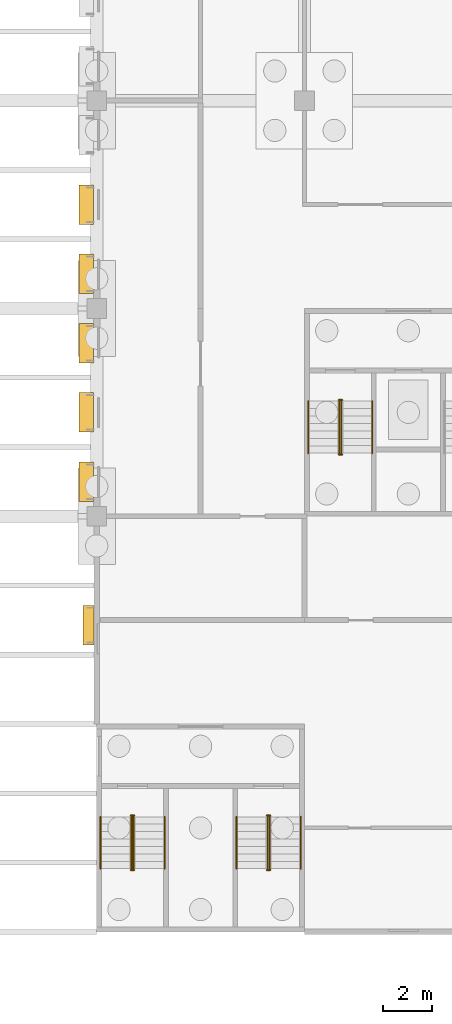
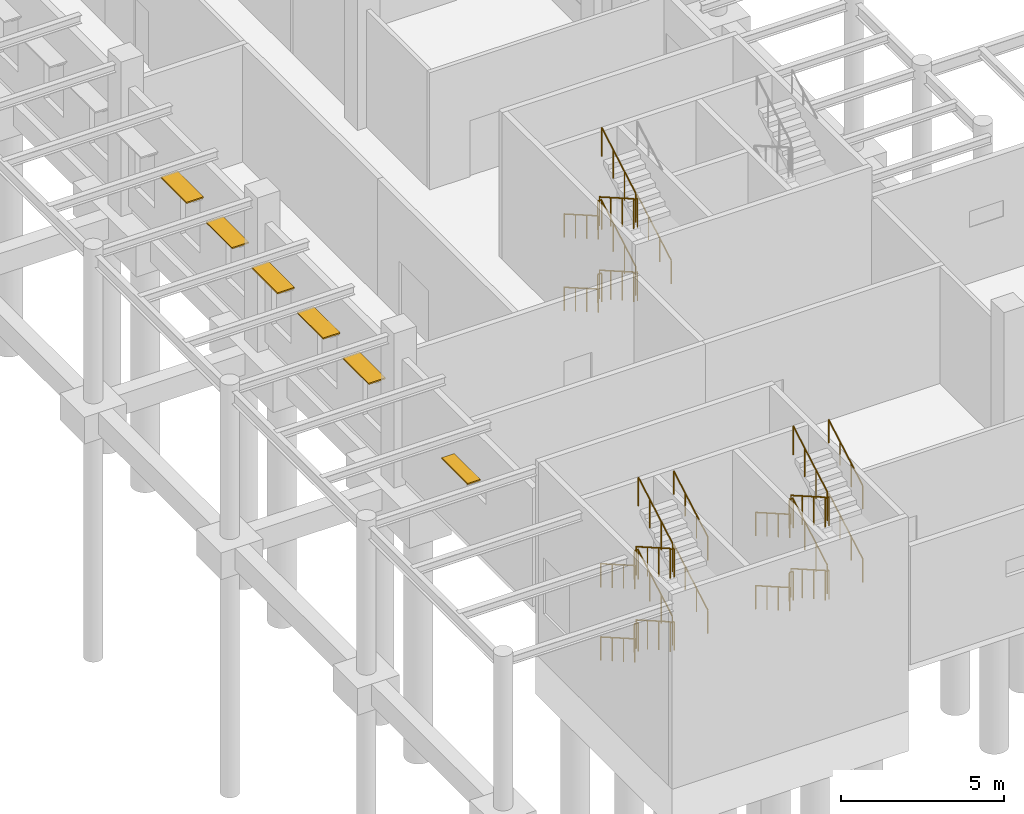
# One storey, part 55 of 82: 35 railings, 6 shading devices.
"""IFC4 building model written with IfcOpenShell, lengths in metres."""

import ifcopenshell
import ifcopenshell.guid

model = None  # the IFC model being written
_history = None  # IfcOwnerHistory: only IFC2X3 demands one
_inside = {}  # id of a spatial element -> (the spatial element, [elements in it])
_under = {}  # id of a project, library or spatial element -> (it, [spatial elements below it])
_declared = {}  # id of a project -> (the project, [libraries it declares])
_typed = {}  # id of a type object -> (the type object, [elements of that type])
_made_of = {}  # id of a material, layer set ... -> (it, [elements and type objects made of it])


def new_model(schema):
    """Start an empty IFC model of exactly this schema.

    Asked for "IFC4X3", IfcOpenShell would pick the latest addendum, in which some entities
    have other attributes; the version numbers below select the first issue.
    IFC2X3 requires an IfcOwnerHistory on every rooted entity: one is made here for all.
    """
    global model, _history
    if schema == "IFC4X3":
        model = ifcopenshell.file(schema_version=(4, 3, 0, 0))
    else:
        model = ifcopenshell.file(schema=schema)
    _inside.clear()
    _under.clear()
    _declared.clear()
    _typed.clear()
    _made_of.clear()
    _history = None
    if model.schema == "IFC2X3":
        org = make("IfcOrganization", Name="unknown")
        user = make(
            "IfcPersonAndOrganization",
            ThePerson=make("IfcPerson", FamilyName="unknown"),
            TheOrganization=org,
        )
        app = make(
            "IfcApplication",
            ApplicationDeveloper=org,
            Version="unknown",
            ApplicationFullName="unknown",
            ApplicationIdentifier="unknown",
        )
        _history = make(
            "IfcOwnerHistory",
            OwningUser=user,
            OwningApplication=app,
            ChangeAction="ADDED",
            CreationDate=0,
        )
    return model


def make(cls, **values):
    """One entity of the class cls with the attributes given. An attribute that is None is left unset."""
    return model.create_entity(
        cls, **{name: value for name, value in values.items() if value is not None}
    )


def rooted(cls, **values):
    """An entity with a GlobalId (a new one), such as an element, a storey or a relation."""
    return make(cls, GlobalId=ifcopenshell.guid.new(), OwnerHistory=_history, **values)


def si_unit(unit_type, name, prefix=None):
    """IfcSIUnit, for example si_unit("LENGTHUNIT", "METRE", prefix="MILLI")."""
    return make("IfcSIUnit", UnitType=unit_type, Prefix=prefix, Name=name)


def assignment(units):
    """IfcUnitAssignment: the units of a project."""
    return None if units is None else make("IfcUnitAssignment", Units=units)


def point(xyz):
    """IfcCartesianPoint."""
    return None if xyz is None else make("IfcCartesianPoint", Coordinates=xyz)


def direction(xyz):
    """IfcDirection."""
    return None if xyz is None else make("IfcDirection", DirectionRatios=xyz)


def frame(location, z_axis=None, x_axis=None):
    """IfcAxis2Placement3D, a coordinate frame: its origin and axes. An axis left out is left unset."""
    return make(
        "IfcAxis2Placement3D",
        Location=point(location),
        Axis=direction(z_axis),
        RefDirection=direction(x_axis),
    )


def frame_2d(location, x_axis=None):
    """IfcAxis2Placement2D, a coordinate frame in the plane: its origin and x axis."""
    return make(
        "IfcAxis2Placement2D", Location=point(location), RefDirection=direction(x_axis)
    )


def origin():
    """The frame at (0, 0, 0) with its axes left unset."""
    return frame((0.0, 0.0, 0.0))


def origin_2d():
    """The frame at (0, 0) in the plane with its x axis left unset."""
    return frame_2d((0.0, 0.0))


def place(relative_to, where):
    """IfcLocalPlacement: puts the frame where relative to a parent placement (None: the world)."""
    return make(
        "IfcLocalPlacement", PlacementRelTo=relative_to, RelativePlacement=where
    )


def context(
    kind, dimensions, precision=None, world=None, true_north=None, identifier=None
):
    """IfcGeometricRepresentationContext, for example the 3D "Model" context."""
    return make(
        "IfcGeometricRepresentationContext",
        ContextIdentifier=identifier,
        ContextType=kind,
        CoordinateSpaceDimension=dimensions,
        Precision=precision,
        WorldCoordinateSystem=world,
        TrueNorth=true_north,
    )


def subcontext(parent, identifier, kind, view, scale=None):
    """IfcGeometricRepresentationSubContext, for example "Body" below "Model"."""
    return make(
        "IfcGeometricRepresentationSubContext",
        ContextIdentifier=identifier,
        ContextType=kind,
        ParentContext=parent,
        TargetScale=scale,
        TargetView=view,
    )


def project(units=None, contexts=None):
    """IfcProject with its units and contexts."""
    return rooted(
        "IfcProject",
        Name="project",
        RepresentationContexts=contexts,
        UnitsInContext=assignment(units),
    )


def spatial(cls, under=None, at=None, **own):
    """A site, building, storey or space (cls), placed at a placement, below another one or the project."""
    s = rooted(cls, ObjectPlacement=at, **own)
    if under is not None:
        _under.setdefault(under.id(), (under, []))[1].append(s)
    return s


def profile(cls, at=None, kind="AREA", **sizes):
    """A parametric profile (cls). Its sizes go by their IFC names, for example OverallWidth=200.0."""
    return make(cls, ProfileType=kind, Position=at, **sizes)


def rectangle(**sizes):
    """IfcRectangleProfileDef."""
    return profile("IfcRectangleProfileDef", **sizes)


def circle(**sizes):
    """IfcCircleProfileDef."""
    return profile("IfcCircleProfileDef", **sizes)


def extrude(swept, where, along, depth):
    """IfcExtrudedAreaSolid: the profile swept, set in the frame where, extruded along a direction by depth."""
    return make(
        "IfcExtrudedAreaSolid",
        SweptArea=swept,
        Position=where,
        ExtrudedDirection=direction(along),
        Depth=depth,
    )


def shape(context_of_items, identifier, shape_type, items):
    """IfcShapeRepresentation: the items that make up one representation, for example the "Body"."""
    return make(
        "IfcShapeRepresentation",
        ContextOfItems=context_of_items,
        RepresentationIdentifier=identifier,
        RepresentationType=shape_type,
        Items=items,
    )


def material(Name=None, Category=None):
    """IfcMaterial."""
    return make("IfcMaterial", Name=Name, Category=Category)


def material_profile(
    of_material, cross_section, Name=None, Category=None, Priority=None
):
    """IfcMaterialProfile: a cross section and its material."""
    return make(
        "IfcMaterialProfile",
        Name=Name,
        Material=of_material,
        Profile=cross_section,
        Priority=Priority,
        Category=Category,
    )


def profile_set(profiles, Name=None, composite=None):
    """IfcMaterialProfileSet."""
    return make(
        "IfcMaterialProfileSet",
        Name=Name,
        MaterialProfiles=profiles,
        CompositeProfile=composite,
    )


def made_of(thing, what):
    """Note that an element or type object is made of a material, layer set ...; save() writes the relation."""
    if what is not None:
        _made_of.setdefault(what.id(), (what, []))[1].append(thing)
    return thing


def type_object(cls, material=None, **own):
    """A type object (cls), such as IfcWallType, which elements share."""
    return made_of(rooted(cls, **own), material)


def element(
    cls,
    number,
    at=None,
    inside=None,
    cuts=None,
    type_object=None,
    material=None,
    context=None,
    identifier="Body",
    shape_type=None,
    held_by="IfcProductDefinitionShape",
    body=None,
    shapes=None,
    **own,
):
    """One element of the class cls, such as IfcWall. Its Tag is "e" and its number.

    at: its placement. inside: the storey or other place that contains it. cuts: it is an
    opening in that element (IfcRelVoidsElement). A single representation is given by context,
    identifier, shape_type and body (its items); several are given by shapes. held_by: the class
    of the entity that holds the representations. save() writes the other relations.
    """
    e = rooted(cls, Tag="e%d" % number, ObjectPlacement=at, **own)
    if body is not None:
        shapes = [shape(context, identifier, shape_type, body)]
    if shapes is not None:
        e.Representation = make(held_by, Representations=shapes)
    if inside is not None:
        _inside.setdefault(inside.id(), (inside, []))[1].append(e)
    if cuts is not None:
        rooted(
            "IfcRelVoidsElement", RelatingBuildingElement=cuts, RelatedOpeningElement=e
        )
    if type_object is not None:
        _typed.setdefault(type_object.id(), (type_object, []))[1].append(e)
    return made_of(e, material)


def aggregate(whole, parts):
    """IfcRelAggregates: a whole, such as a stair, and the parts it consists of."""
    return rooted("IfcRelAggregates", RelatingObject=whole, RelatedObjects=parts)


def save(model, path):
    """Write the relations noted so far, then the file.

    IfcRelAggregates (storeys below a building ...), IfcRelContainedInSpatialStructure (elements
    in a storey), IfcRelDefinesByType, IfcRelAssociatesMaterial and IfcRelDeclares: one each for
    every whole, place, type object, material and project.
    """
    for whole, parts in _under.values():
        aggregate(whole, parts)
    for where, things in _inside.values():
        rooted(
            "IfcRelContainedInSpatialStructure",
            RelatedElements=things,
            RelatingStructure=where,
        )
    for kind, things in _typed.values():
        rooted("IfcRelDefinesByType", RelatedObjects=things, RelatingType=kind)
    for what, things in _made_of.values():
        rooted("IfcRelAssociatesMaterial", RelatedObjects=things, RelatingMaterial=what)
    for by, libraries in _declared.values():
        rooted("IfcRelDeclares", RelatingContext=by, RelatedDefinitions=libraries)
    model.write(path)


model = new_model("IFC4")

# Units and contexts
model_context = context("Model", 3, precision=1e-05, world=origin(), true_north=direction((0.0, 1.0)))
body_context = subcontext(model_context, "Body", "Model", "MODEL_VIEW")
ifc_project = project(units=[si_unit("LENGTHUNIT", "METRE"), si_unit("AREAUNIT", "SQUARE_METRE"), si_unit("VOLUMEUNIT", "CUBIC_METRE"), si_unit("PLANEANGLEUNIT", "RADIAN"), si_unit("MASSUNIT", "GRAM", prefix="KILO")], contexts=[model_context])

# Site, building, storey
site_placement = place(None, origin())
site = spatial("IfcSite", under=ifc_project, at=site_placement, CompositionType="ELEMENT")
building_placement = place(site_placement, origin())
building = spatial("IfcBuilding", under=site, at=building_placement, Name="Almond Square Museum", CompositionType="ELEMENT")
storey_placement = place(building_placement, origin())
storey = spatial("IfcBuildingStorey", under=building, at=storey_placement, Name="L00", CompositionType="ELEMENT", Elevation=0.0)

# Railings
ifc_material_1 = material(Name="Stainless steel and laminated glass", Category="steel")
railing_type_1 = type_object("IfcRailingType", Name="Stair guard 1100 steel and glass", PredefinedType="GUARDRAIL", material=ifc_material_1)
railing_1_placement = place(storey_placement, frame((15.81005859375, 21.449951171875, 0.171875)))
element("IfcRailing", 1, at=railing_1_placement, inside=storey, type_object=railing_type_1, Name="L00 ST-21 stair guard 1", PredefinedType="GUARDRAIL", context=body_context, shape_type="SweptSolid", body=[
    extrude(circle(Radius=0.02392578125, at=origin_2d()), frame((0.0, 0.0, 1.076171875), z_axis=(0.0, -0.867671429157, 0.497138100556), x_axis=(1.0, 0.0, 0.0)), (0.0, 0.0, 1.0), 2.420166015625),
    extrude(circle(Radius=0.02099609375, at=origin_2d()), origin(), (0.0, 0.0, 1.0), 1.052001953125),
    extrude(circle(Radius=0.02099609375, at=origin_2d()), frame((0.0, -0.699951171875, 0.401123046875)), (0.0, 0.0, 1.0), 1.052001953125),
    extrude(circle(Radius=0.02099609375, at=origin_2d()), frame((0.0, -1.39990234375, 0.802001953125)), (0.0, 0.0, 1.0), 1.052001953125),
    extrude(circle(Radius=0.02099609375, at=origin_2d()), frame((0.0, -2.099853515625, 1.203125)), (0.0, 0.0, 1.0), 1.052001953125),
])
railing_2_placement = place(storey_placement, frame((15.780029296875, 19.300048828125, 1.375)))
element("IfcRailing", 2, at=railing_2_placement, inside=storey, type_object=railing_type_1, Name="L00 ST-21 stair guard 2", PredefinedType="GUARDRAIL", context=body_context, shape_type="SweptSolid", body=[
    extrude(circle(Radius=0.02392578125, at=origin_2d()), frame((0.0, 0.0, 1.076171875), z_axis=(1.0, 0.0, 0.0), x_axis=(0.0, 1.0, 0.0)), (0.0, 0.0, 1.0), 0.139892578125),
    extrude(circle(Radius=0.02099609375, at=origin_2d()), origin(), (0.0, 0.0, 1.0), 1.052001953125),
    extrude(circle(Radius=0.02099609375, at=origin_2d()), frame((0.139892578125, 0.0, 0.0)), (0.0, 0.0, 1.0), 1.052001953125),
])
railing_3_placement = place(storey_placement, frame((15.889892578125, 19.35009765625, 1.546875)))
element("IfcRailing", 3, at=railing_3_placement, inside=storey, type_object=railing_type_1, Name="L00 ST-21 stair guard 3", PredefinedType="GUARDRAIL", context=body_context, shape_type="SweptSolid", body=[
    extrude(circle(Radius=0.02392578125, at=origin_2d()), frame((0.0, 0.0, 1.076171875), z_axis=(0.0, 0.867671429157, 0.497138100556), x_axis=(-1.0, 0.0, 0.0)), (0.0, 0.0, 1.0), 2.420166015625),
    extrude(circle(Radius=0.02099609375, at=origin_2d()), origin(), (0.0, 0.0, 1.0), 1.052001953125),
    extrude(circle(Radius=0.02099609375, at=origin_2d()), frame((0.0, 0.699951171875, 0.401123046875)), (0.0, 0.0, 1.0), 1.052001953125),
    extrude(circle(Radius=0.02099609375, at=origin_2d()), frame((0.0, 1.39990234375, 0.802001953125)), (0.0, 0.0, 1.0), 1.052001953125),
    extrude(circle(Radius=0.02099609375, at=origin_2d()), frame((0.0, 2.099853515625, 1.203125)), (0.0, 0.0, 1.0), 1.052001953125),
])
railing_4_placement = place(storey_placement, frame((15.780029296875, 21.5, 2.75)))
element("IfcRailing", 4, at=railing_4_placement, inside=storey, type_object=railing_type_1, Name="L00 ST-21 stair guard 4", PredefinedType="GUARDRAIL", context=body_context, shape_type="SweptSolid", body=[
    extrude(circle(Radius=0.02392578125, at=origin_2d()), frame((0.0, 0.0, 1.076171875), z_axis=(1.0, 0.0, 0.0), x_axis=(0.0, 1.0, 0.0)), (0.0, 0.0, 1.0), 0.139892578125),
    extrude(circle(Radius=0.02099609375, at=origin_2d()), origin(), (0.0, 0.0, 1.0), 1.052001953125),
    extrude(circle(Radius=0.02099609375, at=origin_2d()), frame((0.139892578125, 0.0, 0.0)), (0.0, 0.0, 1.0), 1.052001953125),
])
railing_5_placement = place(storey_placement, frame((15.81005859375, 21.449951171875, 2.921875)))
element("IfcRailing", 5, at=railing_5_placement, inside=storey, type_object=railing_type_1, Name="L00 ST-21 stair guard 5", PredefinedType="GUARDRAIL", context=body_context, shape_type="SweptSolid", body=[
    extrude(circle(Radius=0.02392578125, at=origin_2d()), frame((0.0, 0.0, 1.076171875), z_axis=(0.0, -0.867671429157, 0.497138100556), x_axis=(1.0, 0.0, 0.0)), (0.0, 0.0, 1.0), 2.420166015625),
    extrude(circle(Radius=0.02099609375, at=origin_2d()), origin(), (0.0, 0.0, 1.0), 1.052001953125),
    extrude(circle(Radius=0.02099609375, at=origin_2d()), frame((0.0, -0.699951171875, 0.401123046875)), (0.0, 0.0, 1.0), 1.052001953125),
    extrude(circle(Radius=0.02099609375, at=origin_2d()), frame((0.0, -1.39990234375, 0.802001953125)), (0.0, 0.0, 1.0), 1.052001953125),
    extrude(circle(Radius=0.02099609375, at=origin_2d()), frame((0.0, -2.099853515625, 1.203125)), (0.0, 0.0, 1.0), 1.052001953125),
])
railing_6_placement = place(storey_placement, frame((15.780029296875, 19.300048828125, 4.125)))
element("IfcRailing", 6, at=railing_6_placement, inside=storey, type_object=railing_type_1, Name="L00 ST-21 stair guard 6", PredefinedType="GUARDRAIL", context=body_context, shape_type="SweptSolid", body=[
    extrude(circle(Radius=0.02392578125, at=origin_2d()), frame((0.0, 0.0, 1.076171875), z_axis=(1.0, 0.0, 0.0), x_axis=(0.0, 1.0, 0.0)), (0.0, 0.0, 1.0), 0.139892578125),
    extrude(circle(Radius=0.02099609375, at=origin_2d()), origin(), (0.0, 0.0, 1.0), 1.052001953125),
    extrude(circle(Radius=0.02099609375, at=origin_2d()), frame((0.139892578125, 0.0, 0.0)), (0.0, 0.0, 1.0), 1.052001953125),
])
railing_7_placement = place(storey_placement, frame((15.889892578125, 19.35009765625, 4.296875)))
element("IfcRailing", 7, at=railing_7_placement, inside=storey, type_object=railing_type_1, Name="L00 ST-21 stair guard 7", PredefinedType="GUARDRAIL", context=body_context, shape_type="SweptSolid", body=[
    extrude(circle(Radius=0.02392578125, at=origin_2d()), frame((0.0, 0.0, 1.076171875), z_axis=(0.0, 0.867671429157, 0.497138100556), x_axis=(-1.0, 0.0, 0.0)), (0.0, 0.0, 1.0), 2.420166015625),
    extrude(circle(Radius=0.02099609375, at=origin_2d()), origin(), (0.0, 0.0, 1.0), 1.052001953125),
    extrude(circle(Radius=0.02099609375, at=origin_2d()), frame((0.0, 0.699951171875, 0.401123046875)), (0.0, 0.0, 1.0), 1.052001953125),
    extrude(circle(Radius=0.02099609375, at=origin_2d()), frame((0.0, 1.39990234375, 0.802001953125)), (0.0, 0.0, 1.0), 1.052001953125),
    extrude(circle(Radius=0.02099609375, at=origin_2d()), frame((0.0, 2.099853515625, 1.203125)), (0.0, 0.0, 1.0), 1.052001953125),
])
railing_8_placement = place(storey_placement, frame((15.780029296875, 21.5, 0.0)))
element("IfcRailing", 8, at=railing_8_placement, inside=storey, type_object=railing_type_1, Name="L00 ST-21 stair guard 8", PredefinedType="GUARDRAIL", context=body_context, shape_type="SweptSolid", body=[
    extrude(circle(Radius=0.02392578125, at=origin_2d()), frame((0.0, 0.0, 1.076171875), z_axis=(1.0, 0.0, 0.0), x_axis=(0.0, 1.0, 0.0)), (0.0, 0.0, 1.0), 0.139892578125),
    extrude(circle(Radius=0.02099609375, at=origin_2d()), origin(), (0.0, 0.0, 1.0), 1.052001953125),
    extrude(circle(Radius=0.02099609375, at=origin_2d()), frame((0.139892578125, 0.0, 0.0)), (0.0, 0.0, 1.0), 1.052001953125),
])
railing_9_placement = place(storey_placement, frame((7.409912109375, 4.64990234375, 0.171875)))
element("IfcRailing", 9, at=railing_9_placement, inside=storey, type_object=railing_type_1, Name="L00 ST-27 stair guard 1", PredefinedType="GUARDRAIL", context=body_context, shape_type="SweptSolid", body=[
    extrude(circle(Radius=0.02392578125, at=origin_2d()), frame((0.0, 0.0, 1.076171875), z_axis=(0.0, -0.867671429157, 0.497138100556), x_axis=(1.0, 0.0, 0.0)), (0.0, 0.0, 1.0), 2.420166015625),
    extrude(circle(Radius=0.02099609375, at=origin_2d()), origin(), (0.0, 0.0, 1.0), 1.052001953125),
    extrude(circle(Radius=0.02099609375, at=origin_2d()), frame((0.0, -0.699951171875, 0.401123046875)), (0.0, 0.0, 1.0), 1.052001953125),
    extrude(circle(Radius=0.02099609375, at=origin_2d()), frame((0.0, -1.39990234375, 0.802001953125)), (0.0, 0.0, 1.0), 1.052001953125),
    extrude(circle(Radius=0.02099609375, at=origin_2d()), frame((0.0, -2.099853515625, 1.203125)), (0.0, 0.0, 1.0), 1.052001953125),
])
railing_10_placement = place(storey_placement, frame((7.3798828125, 2.5, 1.375)))
element("IfcRailing", 10, at=railing_10_placement, inside=storey, type_object=railing_type_1, Name="L00 ST-27 stair guard 2", PredefinedType="GUARDRAIL", context=body_context, shape_type="SweptSolid", body=[
    extrude(circle(Radius=0.02392578125, at=origin_2d()), frame((0.0, 0.0, 1.076171875), z_axis=(1.0, 0.0, 0.0), x_axis=(0.0, 1.0, 0.0)), (0.0, 0.0, 1.0), 0.14013671875),
    extrude(circle(Radius=0.02099609375, at=origin_2d()), origin(), (0.0, 0.0, 1.0), 1.052001953125),
    extrude(circle(Radius=0.02099609375, at=origin_2d()), frame((0.14013671875, 0.0, 0.0)), (0.0, 0.0, 1.0), 1.052001953125),
])
railing_11_placement = place(storey_placement, frame((7.489990234375, 2.550048828125, 1.546875)))
element("IfcRailing", 11, at=railing_11_placement, inside=storey, type_object=railing_type_1, Name="L00 ST-27 stair guard 3", PredefinedType="GUARDRAIL", context=body_context, shape_type="SweptSolid", body=[
    extrude(circle(Radius=0.02392578125, at=origin_2d()), frame((0.0, 0.0, 1.076171875), z_axis=(0.0, 0.867671429157, 0.497138100556), x_axis=(-1.0, 0.0, 0.0)), (0.0, 0.0, 1.0), 2.420166015625),
    extrude(circle(Radius=0.02099609375, at=origin_2d()), origin(), (0.0, 0.0, 1.0), 1.052001953125),
    extrude(circle(Radius=0.02099609375, at=origin_2d()), frame((0.0, 0.699951171875, 0.401123046875)), (0.0, 0.0, 1.0), 1.052001953125),
    extrude(circle(Radius=0.02099609375, at=origin_2d()), frame((0.0, 1.39990234375, 0.802001953125)), (0.0, 0.0, 1.0), 1.052001953125),
    extrude(circle(Radius=0.02099609375, at=origin_2d()), frame((0.0, 2.099853515625, 1.203125)), (0.0, 0.0, 1.0), 1.052001953125),
])
railing_12_placement = place(storey_placement, frame((7.3798828125, 4.699951171875, 2.75)))
element("IfcRailing", 12, at=railing_12_placement, inside=storey, type_object=railing_type_1, Name="L00 ST-27 stair guard 4", PredefinedType="GUARDRAIL", context=body_context, shape_type="SweptSolid", body=[
    extrude(circle(Radius=0.02392578125, at=origin_2d()), frame((0.0, 0.0, 1.076171875), z_axis=(1.0, 0.0, 0.0), x_axis=(0.0, 1.0, 0.0)), (0.0, 0.0, 1.0), 0.14013671875),
    extrude(circle(Radius=0.02099609375, at=origin_2d()), origin(), (0.0, 0.0, 1.0), 1.052001953125),
    extrude(circle(Radius=0.02099609375, at=origin_2d()), frame((0.14013671875, 0.0, 0.0)), (0.0, 0.0, 1.0), 1.052001953125),
])
railing_13_placement = place(storey_placement, frame((7.409912109375, 4.64990234375, 2.921875)))
element("IfcRailing", 13, at=railing_13_placement, inside=storey, type_object=railing_type_1, Name="L00 ST-27 stair guard 5", PredefinedType="GUARDRAIL", context=body_context, shape_type="SweptSolid", body=[
    extrude(circle(Radius=0.02392578125, at=origin_2d()), frame((0.0, 0.0, 1.076171875), z_axis=(0.0, -0.867671429157, 0.497138100556), x_axis=(1.0, 0.0, 0.0)), (0.0, 0.0, 1.0), 2.420166015625),
    extrude(circle(Radius=0.02099609375, at=origin_2d()), origin(), (0.0, 0.0, 1.0), 1.052001953125),
    extrude(circle(Radius=0.02099609375, at=origin_2d()), frame((0.0, -0.699951171875, 0.401123046875)), (0.0, 0.0, 1.0), 1.052001953125),
    extrude(circle(Radius=0.02099609375, at=origin_2d()), frame((0.0, -1.39990234375, 0.802001953125)), (0.0, 0.0, 1.0), 1.052001953125),
    extrude(circle(Radius=0.02099609375, at=origin_2d()), frame((0.0, -2.099853515625, 1.203125)), (0.0, 0.0, 1.0), 1.052001953125),
])
railing_14_placement = place(storey_placement, frame((7.3798828125, 2.5, 4.125)))
element("IfcRailing", 14, at=railing_14_placement, inside=storey, type_object=railing_type_1, Name="L00 ST-27 stair guard 6", PredefinedType="GUARDRAIL", context=body_context, shape_type="SweptSolid", body=[
    extrude(circle(Radius=0.02392578125, at=origin_2d()), frame((0.0, 0.0, 1.076171875), z_axis=(1.0, 0.0, 0.0), x_axis=(0.0, 1.0, 0.0)), (0.0, 0.0, 1.0), 0.14013671875),
    extrude(circle(Radius=0.02099609375, at=origin_2d()), origin(), (0.0, 0.0, 1.0), 1.052001953125),
    extrude(circle(Radius=0.02099609375, at=origin_2d()), frame((0.14013671875, 0.0, 0.0)), (0.0, 0.0, 1.0), 1.052001953125),
])
railing_15_placement = place(storey_placement, frame((7.489990234375, 2.550048828125, 4.296875)))
element("IfcRailing", 15, at=railing_15_placement, inside=storey, type_object=railing_type_1, Name="L00 ST-27 stair guard 7", PredefinedType="GUARDRAIL", context=body_context, shape_type="SweptSolid", body=[
    extrude(circle(Radius=0.02392578125, at=origin_2d()), frame((0.0, 0.0, 1.076171875), z_axis=(0.0, 0.867671429157, 0.497138100556), x_axis=(-1.0, 0.0, 0.0)), (0.0, 0.0, 1.0), 2.420166015625),
    extrude(circle(Radius=0.02099609375, at=origin_2d()), origin(), (0.0, 0.0, 1.0), 1.052001953125),
    extrude(circle(Radius=0.02099609375, at=origin_2d()), frame((0.0, 0.699951171875, 0.401123046875)), (0.0, 0.0, 1.0), 1.052001953125),
    extrude(circle(Radius=0.02099609375, at=origin_2d()), frame((0.0, 1.39990234375, 0.802001953125)), (0.0, 0.0, 1.0), 1.052001953125),
    extrude(circle(Radius=0.02099609375, at=origin_2d()), frame((0.0, 2.099853515625, 1.203125)), (0.0, 0.0, 1.0), 1.052001953125),
])
railing_16_placement = place(storey_placement, frame((7.3798828125, 4.699951171875, 0.0)))
element("IfcRailing", 16, at=railing_16_placement, inside=storey, type_object=railing_type_1, Name="L00 ST-27 stair guard 8", PredefinedType="GUARDRAIL", context=body_context, shape_type="SweptSolid", body=[
    extrude(circle(Radius=0.02392578125, at=origin_2d()), frame((0.0, 0.0, 1.076171875), z_axis=(1.0, 0.0, 0.0), x_axis=(0.0, 1.0, 0.0)), (0.0, 0.0, 1.0), 0.14013671875),
    extrude(circle(Radius=0.02099609375, at=origin_2d()), origin(), (0.0, 0.0, 1.0), 1.052001953125),
    extrude(circle(Radius=0.02099609375, at=origin_2d()), frame((0.14013671875, 0.0, 0.0)), (0.0, 0.0, 1.0), 1.052001953125),
])
railing_17_placement = place(storey_placement, frame((12.909912109375, 4.64990234375, 0.171875)))
element("IfcRailing", 17, at=railing_17_placement, inside=storey, type_object=railing_type_1, Name="L00 ST-28 stair guard 1", PredefinedType="GUARDRAIL", context=body_context, shape_type="SweptSolid", body=[
    extrude(circle(Radius=0.02392578125, at=origin_2d()), frame((0.0, 0.0, 1.076171875), z_axis=(0.0, -0.867671429157, 0.497138100556), x_axis=(1.0, 0.0, 0.0)), (0.0, 0.0, 1.0), 2.420166015625),
    extrude(circle(Radius=0.02099609375, at=origin_2d()), origin(), (0.0, 0.0, 1.0), 1.052001953125),
    extrude(circle(Radius=0.02099609375, at=origin_2d()), frame((0.0, -0.699951171875, 0.401123046875)), (0.0, 0.0, 1.0), 1.052001953125),
    extrude(circle(Radius=0.02099609375, at=origin_2d()), frame((0.0, -1.39990234375, 0.802001953125)), (0.0, 0.0, 1.0), 1.052001953125),
    extrude(circle(Radius=0.02099609375, at=origin_2d()), frame((0.0, -2.099853515625, 1.203125)), (0.0, 0.0, 1.0), 1.052001953125),
])
railing_18_placement = place(storey_placement, frame((12.8798828125, 2.5, 1.375)))
element("IfcRailing", 18, at=railing_18_placement, inside=storey, type_object=railing_type_1, Name="L00 ST-28 stair guard 2", PredefinedType="GUARDRAIL", context=body_context, shape_type="SweptSolid", body=[
    extrude(circle(Radius=0.02392578125, at=origin_2d()), frame((0.0, 0.0, 1.076171875), z_axis=(1.0, 0.0, 0.0), x_axis=(0.0, 1.0, 0.0)), (0.0, 0.0, 1.0), 0.14013671875),
    extrude(circle(Radius=0.02099609375, at=origin_2d()), origin(), (0.0, 0.0, 1.0), 1.052001953125),
    extrude(circle(Radius=0.02099609375, at=origin_2d()), frame((0.14013671875, 0.0, 0.0)), (0.0, 0.0, 1.0), 1.052001953125),
])
railing_19_placement = place(storey_placement, frame((12.989990234375, 2.550048828125, 1.546875)))
element("IfcRailing", 19, at=railing_19_placement, inside=storey, type_object=railing_type_1, Name="L00 ST-28 stair guard 3", PredefinedType="GUARDRAIL", context=body_context, shape_type="SweptSolid", body=[
    extrude(circle(Radius=0.02392578125, at=origin_2d()), frame((0.0, 0.0, 1.076171875), z_axis=(0.0, 0.867671429157, 0.497138100556), x_axis=(-1.0, 0.0, 0.0)), (0.0, 0.0, 1.0), 2.420166015625),
    extrude(circle(Radius=0.02099609375, at=origin_2d()), origin(), (0.0, 0.0, 1.0), 1.052001953125),
    extrude(circle(Radius=0.02099609375, at=origin_2d()), frame((0.0, 0.699951171875, 0.401123046875)), (0.0, 0.0, 1.0), 1.052001953125),
    extrude(circle(Radius=0.02099609375, at=origin_2d()), frame((0.0, 1.39990234375, 0.802001953125)), (0.0, 0.0, 1.0), 1.052001953125),
    extrude(circle(Radius=0.02099609375, at=origin_2d()), frame((0.0, 2.099853515625, 1.203125)), (0.0, 0.0, 1.0), 1.052001953125),
])
railing_20_placement = place(storey_placement, frame((12.8798828125, 4.699951171875, 2.75)))
element("IfcRailing", 20, at=railing_20_placement, inside=storey, type_object=railing_type_1, Name="L00 ST-28 stair guard 4", PredefinedType="GUARDRAIL", context=body_context, shape_type="SweptSolid", body=[
    extrude(circle(Radius=0.02392578125, at=origin_2d()), frame((0.0, 0.0, 1.076171875), z_axis=(1.0, 0.0, 0.0), x_axis=(0.0, 1.0, 0.0)), (0.0, 0.0, 1.0), 0.14013671875),
    extrude(circle(Radius=0.02099609375, at=origin_2d()), origin(), (0.0, 0.0, 1.0), 1.052001953125),
    extrude(circle(Radius=0.02099609375, at=origin_2d()), frame((0.14013671875, 0.0, 0.0)), (0.0, 0.0, 1.0), 1.052001953125),
])
railing_21_placement = place(storey_placement, frame((12.909912109375, 4.64990234375, 2.921875)))
element("IfcRailing", 21, at=railing_21_placement, inside=storey, type_object=railing_type_1, Name="L00 ST-28 stair guard 5", PredefinedType="GUARDRAIL", context=body_context, shape_type="SweptSolid", body=[
    extrude(circle(Radius=0.02392578125, at=origin_2d()), frame((0.0, 0.0, 1.076171875), z_axis=(0.0, -0.867671429157, 0.497138100556), x_axis=(1.0, 0.0, 0.0)), (0.0, 0.0, 1.0), 2.420166015625),
    extrude(circle(Radius=0.02099609375, at=origin_2d()), origin(), (0.0, 0.0, 1.0), 1.052001953125),
    extrude(circle(Radius=0.02099609375, at=origin_2d()), frame((0.0, -0.699951171875, 0.401123046875)), (0.0, 0.0, 1.0), 1.052001953125),
    extrude(circle(Radius=0.02099609375, at=origin_2d()), frame((0.0, -1.39990234375, 0.802001953125)), (0.0, 0.0, 1.0), 1.052001953125),
    extrude(circle(Radius=0.02099609375, at=origin_2d()), frame((0.0, -2.099853515625, 1.203125)), (0.0, 0.0, 1.0), 1.052001953125),
])
railing_22_placement = place(storey_placement, frame((12.8798828125, 2.5, 4.125)))
element("IfcRailing", 22, at=railing_22_placement, inside=storey, type_object=railing_type_1, Name="L00 ST-28 stair guard 6", PredefinedType="GUARDRAIL", context=body_context, shape_type="SweptSolid", body=[
    extrude(circle(Radius=0.02392578125, at=origin_2d()), frame((0.0, 0.0, 1.076171875), z_axis=(1.0, 0.0, 0.0), x_axis=(0.0, 1.0, 0.0)), (0.0, 0.0, 1.0), 0.14013671875),
    extrude(circle(Radius=0.02099609375, at=origin_2d()), origin(), (0.0, 0.0, 1.0), 1.052001953125),
    extrude(circle(Radius=0.02099609375, at=origin_2d()), frame((0.14013671875, 0.0, 0.0)), (0.0, 0.0, 1.0), 1.052001953125),
])
railing_23_placement = place(storey_placement, frame((12.989990234375, 2.550048828125, 4.296875)))
element("IfcRailing", 23, at=railing_23_placement, inside=storey, type_object=railing_type_1, Name="L00 ST-28 stair guard 7", PredefinedType="GUARDRAIL", context=body_context, shape_type="SweptSolid", body=[
    extrude(circle(Radius=0.02392578125, at=origin_2d()), frame((0.0, 0.0, 1.076171875), z_axis=(0.0, 0.867671429157, 0.497138100556), x_axis=(-1.0, 0.0, 0.0)), (0.0, 0.0, 1.0), 2.420166015625),
    extrude(circle(Radius=0.02099609375, at=origin_2d()), origin(), (0.0, 0.0, 1.0), 1.052001953125),
    extrude(circle(Radius=0.02099609375, at=origin_2d()), frame((0.0, 0.699951171875, 0.401123046875)), (0.0, 0.0, 1.0), 1.052001953125),
    extrude(circle(Radius=0.02099609375, at=origin_2d()), frame((0.0, 1.39990234375, 0.802001953125)), (0.0, 0.0, 1.0), 1.052001953125),
    extrude(circle(Radius=0.02099609375, at=origin_2d()), frame((0.0, 2.099853515625, 1.203125)), (0.0, 0.0, 1.0), 1.052001953125),
])
railing_24_placement = place(storey_placement, frame((12.8798828125, 4.699951171875, 0.0)))
element("IfcRailing", 24, at=railing_24_placement, inside=storey, type_object=railing_type_1, Name="L00 ST-28 stair guard 8", PredefinedType="GUARDRAIL", context=body_context, shape_type="SweptSolid", body=[
    extrude(circle(Radius=0.02392578125, at=origin_2d()), frame((0.0, 0.0, 1.076171875), z_axis=(1.0, 0.0, 0.0), x_axis=(0.0, 1.0, 0.0)), (0.0, 0.0, 1.0), 0.14013671875),
    extrude(circle(Radius=0.02099609375, at=origin_2d()), origin(), (0.0, 0.0, 1.0), 1.052001953125),
    extrude(circle(Radius=0.02099609375, at=origin_2d()), frame((0.14013671875, 0.0, 0.0)), (0.0, 0.0, 1.0), 1.052001953125),
])
ifc_material_2 = material(Name="Stainless steel", Category="steel")
railing_type_2 = type_object("IfcRailingType", Name="Stair handrail 900 steel", PredefinedType="HANDRAIL", material=ifc_material_2)
railing_25_placement = place(storey_placement, frame((14.554931640625, 21.449951171875, 0.171875)))
element("IfcRailing", 25, at=railing_25_placement, inside=storey, type_object=railing_type_2, Name="L00 ST-21 stair handrail 1", PredefinedType="HANDRAIL", context=body_context, shape_type="SweptSolid", body=[
    extrude(circle(Radius=0.02392578125, at=origin_2d()), frame((0.0, 0.0, 0.8759765625), z_axis=(0.0, -0.867671429157, 0.497138100556), x_axis=(1.0, 0.0, 0.0)), (0.0, 0.0, 1.0), 2.420166015625),
    extrude(circle(Radius=0.02099609375, at=origin_2d()), origin(), (0.0, 0.0, 1.0), 0.851806640625),
    extrude(circle(Radius=0.02099609375, at=origin_2d()), frame((0.0, -0.699951171875, 0.401123046875)), (0.0, 0.0, 1.0), 0.851806640625),
    extrude(circle(Radius=0.02099609375, at=origin_2d()), frame((0.0, -1.39990234375, 0.802001953125)), (0.0, 0.0, 1.0), 0.851806640625),
    extrude(circle(Radius=0.02099609375, at=origin_2d()), frame((0.0, -2.099853515625, 1.203125)), (0.0, 0.0, 1.0), 0.851806640625),
])
railing_26_placement = place(storey_placement, frame((17.14501953125, 19.35009765625, 1.546875)))
element("IfcRailing", 26, at=railing_26_placement, inside=storey, type_object=railing_type_2, Name="L00 ST-21 stair handrail 2", PredefinedType="HANDRAIL", context=body_context, shape_type="SweptSolid", body=[
    extrude(circle(Radius=0.02392578125, at=origin_2d()), frame((0.0, 0.0, 0.8759765625), z_axis=(0.0, 0.867671429157, 0.497138100556), x_axis=(-1.0, 0.0, 0.0)), (0.0, 0.0, 1.0), 2.420166015625),
    extrude(circle(Radius=0.02099609375, at=origin_2d()), origin(), (0.0, 0.0, 1.0), 0.851806640625),
    extrude(circle(Radius=0.02099609375, at=origin_2d()), frame((0.0, 0.699951171875, 0.401123046875)), (0.0, 0.0, 1.0), 0.851806640625),
    extrude(circle(Radius=0.02099609375, at=origin_2d()), frame((0.0, 1.39990234375, 0.802001953125)), (0.0, 0.0, 1.0), 0.851806640625),
    extrude(circle(Radius=0.02099609375, at=origin_2d()), frame((0.0, 2.099853515625, 1.203125)), (0.0, 0.0, 1.0), 0.851806640625),
])
for number, where, name in (
    (27, (14.554931640625, 21.449951171875, 2.921875), "L00 ST-21 stair handrail 3"),
    (28, (6.155029296875, 4.64990234375, 0.171875), "L00 ST-27 stair handrail 1"),
):
    element("IfcRailing", number, at=place(storey_placement, frame(where)), inside=storey, type_object=railing_type_2, Name=name, PredefinedType="HANDRAIL", context=body_context, shape_type="SweptSolid", body=[
        extrude(circle(Radius=0.02392578125, at=origin_2d()), frame((0.0, 0.0, 0.8759765625), z_axis=(0.0, -0.867671429157, 0.497138100556), x_axis=(1.0, 0.0, 0.0)), (0.0, 0.0, 1.0), 2.420166015625),
        extrude(circle(Radius=0.02099609375, at=origin_2d()), origin(), (0.0, 0.0, 1.0), 0.851806640625),
        extrude(circle(Radius=0.02099609375, at=origin_2d()), frame((0.0, -0.699951171875, 0.401123046875)), (0.0, 0.0, 1.0), 0.851806640625),
        extrude(circle(Radius=0.02099609375, at=origin_2d()), frame((0.0, -1.39990234375, 0.802001953125)), (0.0, 0.0, 1.0), 0.851806640625),
        extrude(circle(Radius=0.02099609375, at=origin_2d()), frame((0.0, -2.099853515625, 1.203125)), (0.0, 0.0, 1.0), 0.851806640625),
    ])
railing_27_placement = place(storey_placement, frame((8.7451171875, 2.550048828125, 1.546875)))
element("IfcRailing", 29, at=railing_27_placement, inside=storey, type_object=railing_type_2, Name="L00 ST-27 stair handrail 2", PredefinedType="HANDRAIL", context=body_context, shape_type="SweptSolid", body=[
    extrude(circle(Radius=0.02392578125, at=origin_2d()), frame((0.0, 0.0, 0.8759765625), z_axis=(0.0, 0.867671429157, 0.497138100556), x_axis=(-1.0, 0.0, 0.0)), (0.0, 0.0, 1.0), 2.420166015625),
    extrude(circle(Radius=0.02099609375, at=origin_2d()), origin(), (0.0, 0.0, 1.0), 0.851806640625),
    extrude(circle(Radius=0.02099609375, at=origin_2d()), frame((0.0, 0.699951171875, 0.401123046875)), (0.0, 0.0, 1.0), 0.851806640625),
    extrude(circle(Radius=0.02099609375, at=origin_2d()), frame((0.0, 1.39990234375, 0.802001953125)), (0.0, 0.0, 1.0), 0.851806640625),
    extrude(circle(Radius=0.02099609375, at=origin_2d()), frame((0.0, 2.099853515625, 1.203125)), (0.0, 0.0, 1.0), 0.851806640625),
])
railing_28_placement = place(storey_placement, frame((6.155029296875, 4.64990234375, 2.921875)))
element("IfcRailing", 30, at=railing_28_placement, inside=storey, type_object=railing_type_2, Name="L00 ST-27 stair handrail 3", PredefinedType="HANDRAIL", context=body_context, shape_type="SweptSolid", body=[
    extrude(circle(Radius=0.02392578125, at=origin_2d()), frame((0.0, 0.0, 0.8759765625), z_axis=(0.0, -0.867671429157, 0.497138100556), x_axis=(1.0, 0.0, 0.0)), (0.0, 0.0, 1.0), 2.420166015625),
    extrude(circle(Radius=0.02099609375, at=origin_2d()), origin(), (0.0, 0.0, 1.0), 0.851806640625),
    extrude(circle(Radius=0.02099609375, at=origin_2d()), frame((0.0, -0.699951171875, 0.401123046875)), (0.0, 0.0, 1.0), 0.851806640625),
    extrude(circle(Radius=0.02099609375, at=origin_2d()), frame((0.0, -1.39990234375, 0.802001953125)), (0.0, 0.0, 1.0), 0.851806640625),
    extrude(circle(Radius=0.02099609375, at=origin_2d()), frame((0.0, -2.099853515625, 1.203125)), (0.0, 0.0, 1.0), 0.851806640625),
])
railing_29_placement = place(storey_placement, frame((8.7451171875, 2.550048828125, 4.296875)))
element("IfcRailing", 31, at=railing_29_placement, inside=storey, type_object=railing_type_2, Name="L00 ST-27 stair handrail 4", PredefinedType="HANDRAIL", context=body_context, shape_type="SweptSolid", body=[
    extrude(circle(Radius=0.02392578125, at=origin_2d()), frame((0.0, 0.0, 0.8759765625), z_axis=(0.0, 0.867671429157, 0.497138100556), x_axis=(-1.0, 0.0, 0.0)), (0.0, 0.0, 1.0), 2.420166015625),
    extrude(circle(Radius=0.02099609375, at=origin_2d()), origin(), (0.0, 0.0, 1.0), 0.851806640625),
    extrude(circle(Radius=0.02099609375, at=origin_2d()), frame((0.0, 0.699951171875, 0.401123046875)), (0.0, 0.0, 1.0), 0.851806640625),
    extrude(circle(Radius=0.02099609375, at=origin_2d()), frame((0.0, 1.39990234375, 0.802001953125)), (0.0, 0.0, 1.0), 0.851806640625),
    extrude(circle(Radius=0.02099609375, at=origin_2d()), frame((0.0, 2.099853515625, 1.203125)), (0.0, 0.0, 1.0), 0.851806640625),
])
railing_30_placement = place(storey_placement, frame((11.655029296875, 4.64990234375, 0.171875)))
element("IfcRailing", 32, at=railing_30_placement, inside=storey, type_object=railing_type_2, Name="L00 ST-28 stair handrail 1", PredefinedType="HANDRAIL", context=body_context, shape_type="SweptSolid", body=[
    extrude(circle(Radius=0.02392578125, at=origin_2d()), frame((0.0, 0.0, 0.8759765625), z_axis=(0.0, -0.867671429157, 0.497138100556), x_axis=(1.0, 0.0, 0.0)), (0.0, 0.0, 1.0), 2.420166015625),
    extrude(circle(Radius=0.02099609375, at=origin_2d()), origin(), (0.0, 0.0, 1.0), 0.851806640625),
    extrude(circle(Radius=0.02099609375, at=origin_2d()), frame((0.0, -0.699951171875, 0.401123046875)), (0.0, 0.0, 1.0), 0.851806640625),
    extrude(circle(Radius=0.02099609375, at=origin_2d()), frame((0.0, -1.39990234375, 0.802001953125)), (0.0, 0.0, 1.0), 0.851806640625),
    extrude(circle(Radius=0.02099609375, at=origin_2d()), frame((0.0, -2.099853515625, 1.203125)), (0.0, 0.0, 1.0), 0.851806640625),
])
railing_31_placement = place(storey_placement, frame((14.2451171875, 2.550048828125, 1.546875)))
element("IfcRailing", 33, at=railing_31_placement, inside=storey, type_object=railing_type_2, Name="L00 ST-28 stair handrail 2", PredefinedType="HANDRAIL", context=body_context, shape_type="SweptSolid", body=[
    extrude(circle(Radius=0.02392578125, at=origin_2d()), frame((0.0, 0.0, 0.8759765625), z_axis=(0.0, 0.867671429157, 0.497138100556), x_axis=(-1.0, 0.0, 0.0)), (0.0, 0.0, 1.0), 2.420166015625),
    extrude(circle(Radius=0.02099609375, at=origin_2d()), origin(), (0.0, 0.0, 1.0), 0.851806640625),
    extrude(circle(Radius=0.02099609375, at=origin_2d()), frame((0.0, 0.699951171875, 0.401123046875)), (0.0, 0.0, 1.0), 0.851806640625),
    extrude(circle(Radius=0.02099609375, at=origin_2d()), frame((0.0, 1.39990234375, 0.802001953125)), (0.0, 0.0, 1.0), 0.851806640625),
    extrude(circle(Radius=0.02099609375, at=origin_2d()), frame((0.0, 2.099853515625, 1.203125)), (0.0, 0.0, 1.0), 0.851806640625),
])
railing_32_placement = place(storey_placement, frame((11.655029296875, 4.64990234375, 2.921875)))
element("IfcRailing", 34, at=railing_32_placement, inside=storey, type_object=railing_type_2, Name="L00 ST-28 stair handrail 3", PredefinedType="HANDRAIL", context=body_context, shape_type="SweptSolid", body=[
    extrude(circle(Radius=0.02392578125, at=origin_2d()), frame((0.0, 0.0, 0.8759765625), z_axis=(0.0, -0.867671429157, 0.497138100556), x_axis=(1.0, 0.0, 0.0)), (0.0, 0.0, 1.0), 2.420166015625),
    extrude(circle(Radius=0.02099609375, at=origin_2d()), origin(), (0.0, 0.0, 1.0), 0.851806640625),
    extrude(circle(Radius=0.02099609375, at=origin_2d()), frame((0.0, -0.699951171875, 0.401123046875)), (0.0, 0.0, 1.0), 0.851806640625),
    extrude(circle(Radius=0.02099609375, at=origin_2d()), frame((0.0, -1.39990234375, 0.802001953125)), (0.0, 0.0, 1.0), 0.851806640625),
    extrude(circle(Radius=0.02099609375, at=origin_2d()), frame((0.0, -2.099853515625, 1.203125)), (0.0, 0.0, 1.0), 0.851806640625),
])
railing_33_placement = place(storey_placement, frame((14.2451171875, 2.550048828125, 4.296875)))
element("IfcRailing", 35, at=railing_33_placement, inside=storey, type_object=railing_type_2, Name="L00 ST-28 stair handrail 4", PredefinedType="HANDRAIL", context=body_context, shape_type="SweptSolid", body=[
    extrude(circle(Radius=0.02392578125, at=origin_2d()), frame((0.0, 0.0, 0.8759765625), z_axis=(0.0, 0.867671429157, 0.497138100556), x_axis=(-1.0, 0.0, 0.0)), (0.0, 0.0, 1.0), 2.420166015625),
    extrude(circle(Radius=0.02099609375, at=origin_2d()), origin(), (0.0, 0.0, 1.0), 0.851806640625),
    extrude(circle(Radius=0.02099609375, at=origin_2d()), frame((0.0, 0.699951171875, 0.401123046875)), (0.0, 0.0, 1.0), 0.851806640625),
    extrude(circle(Radius=0.02099609375, at=origin_2d()), frame((0.0, 1.39990234375, 0.802001953125)), (0.0, 0.0, 1.0), 0.851806640625),
    extrude(circle(Radius=0.02099609375, at=origin_2d()), frame((0.0, 2.099853515625, 1.203125)), (0.0, 0.0, 1.0), 0.851806640625),
])

# Shading devices
ifc_material_3 = material(Name="Anodised aluminium", Category="aluminium")
ifc_material_profile_1 = material_profile(ifc_material_3, rectangle(XDim=0.449951171875, YDim=0.050048828125, at=origin_2d()))
ifc_profile_set_1 = profile_set([ifc_material_profile_1], Name="Anodised aluminium")
shading_device_type_1 = type_object("IfcShadingDeviceType", Name="Sun-shade blade 450 x 50", PredefinedType="USERDEFINED", material=ifc_profile_set_1)
shading_device_placement = place(storey_placement, frame((5.6669921875, 11.60009765625, 2.820068359375), z_axis=(0.0, 1.0, 0.0), x_axis=(-1.0, 0.0, 0.0)))
element("IfcShadingDevice", 36, at=shading_device_placement, inside=storey, type_object=shading_device_type_1, Name="Sun-shade blade", ObjectType="LOUVRE", PredefinedType="USERDEFINED", context=body_context, shape_type="SweptSolid", body=[
    extrude(rectangle(XDim=0.449951171875, YDim=0.050048828125, at=origin_2d()), origin(), (0.0, 0.0, 1.0), 1.599853515625),
])
ifc_material_4 = material(Name="Anodised aluminium", Category="aluminium")
ifc_material_profile_2 = material_profile(ifc_material_4, rectangle(XDim=0.60009765625, YDim=0.050048828125, at=origin_2d()))
ifc_profile_set_2 = profile_set([ifc_material_profile_2], Name="Anodised aluminium")
shading_device_type_2 = type_object("IfcShadingDeviceType", Name="Sun-shade blade 600 x 50", PredefinedType="USERDEFINED", material=ifc_profile_set_2)
for number, where, z_axis, x_axis, name in (
    (37, (5.576904296875, 25.800048828125, 3.1201171875), (0.0, 1.0, 0.0), (-1.0, 0.0, 0.0), "Sun-shade blade"),
    (38, (5.576904296875, 28.60009765625, 3.1201171875), (0.0, 1.0, 0.0), (-1.0, 0.0, 0.0), "Sun-shade blade"),
):
    element("IfcShadingDevice", number, at=place(storey_placement, frame(where, z_axis=z_axis, x_axis=x_axis)), inside=storey, type_object=shading_device_type_2, Name=name, ObjectType="LOUVRE", PredefinedType="USERDEFINED", context=body_context, shape_type="SweptSolid", body=[
        extrude(rectangle(XDim=0.60009765625, YDim=0.050048828125, at=origin_2d()), origin(), (0.0, 0.0, 1.0), 1.599853515625),
    ])
for number, where, z_axis, x_axis, name in (
    (39, (5.576904296875, 17.39990234375, 3.1201171875), (0.0, 1.0, 0.0), (-1.0, 0.0, 0.0), "Sun-shade blade"),
    (40, (5.576904296875, 20.199951171875, 3.1201171875), (0.0, 1.0, 0.0), (-1.0, 0.0, 0.0), "Sun-shade blade"),
    (41, (5.576904296875, 23.0, 3.1201171875), (0.0, 1.0, 0.0), (-1.0, 0.0, 0.0), "Sun-shade blade"),
):
    element("IfcShadingDevice", number, at=place(storey_placement, frame(where, z_axis=z_axis, x_axis=x_axis)), inside=storey, type_object=shading_device_type_2, Name=name, ObjectType="LOUVRE", PredefinedType="USERDEFINED", context=body_context, shape_type="SweptSolid", body=[
        extrude(rectangle(XDim=0.60009765625, YDim=0.050048828125, at=origin_2d()), origin(), (0.0, 0.0, 1.0), 1.60009765625),
    ])

save(model, "model.ifc")
